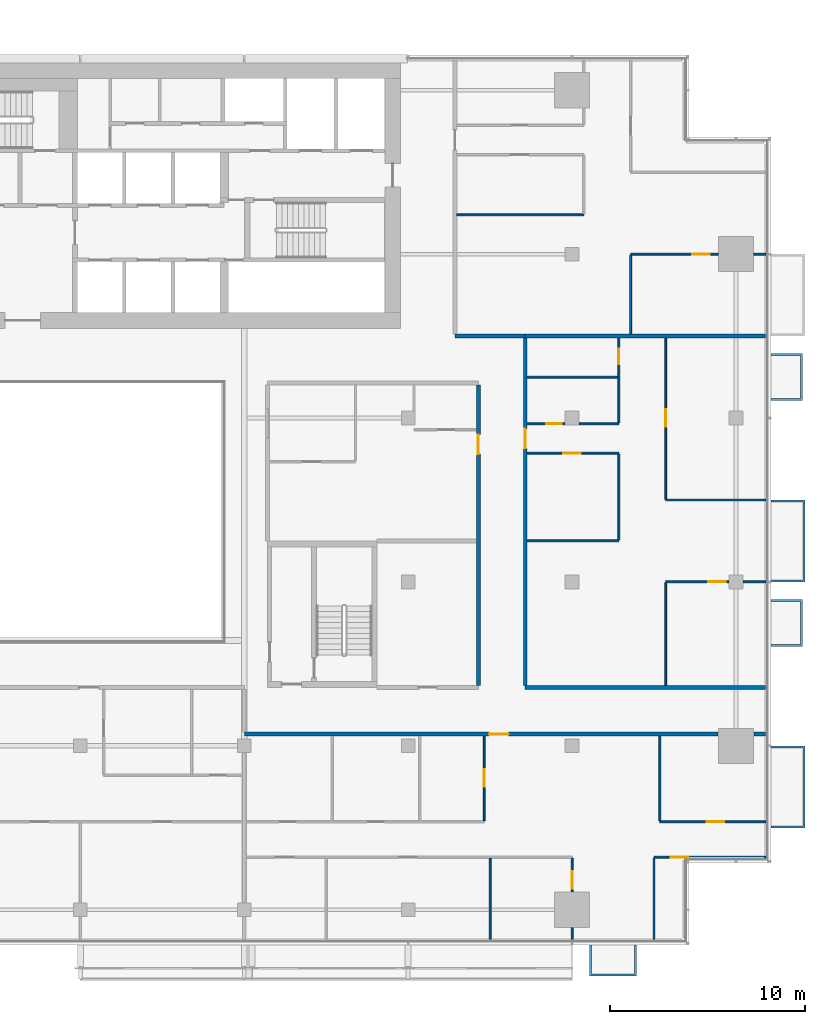
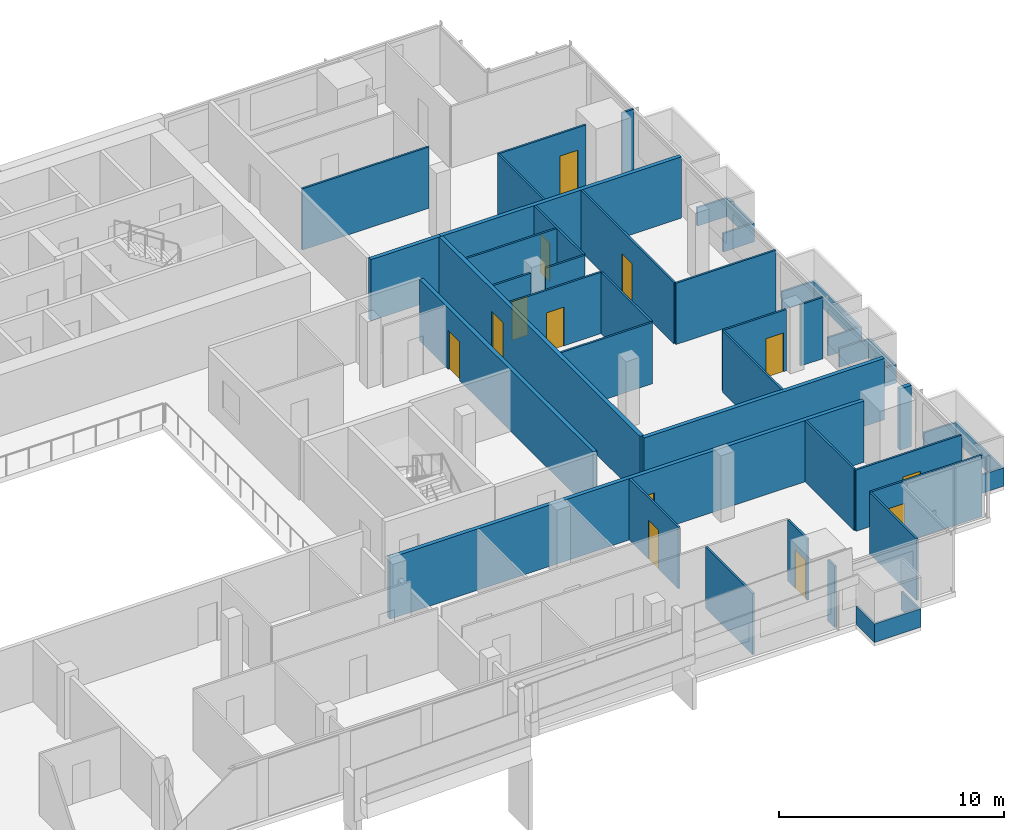
# One storey, part 23 of 28: 36 walls, 13 doors, 13 openings.
"""IFC4 building model written with IfcOpenShell, lengths in metres."""

from ifc_helpers import new_model, si_unit, direction, frame, frame_2d, origin, place, context, subcontext, project, spatial, polyline, rectangle, outline, extrude, material, layer, layer_set, type_object, element, fill, save


model = new_model("IFC4")

# Units and contexts
model_context = context("Model", 3, precision=1e-05, world=origin(), true_north=direction((0.0, 1.0)))
body_context = subcontext(model_context, "Body", "Model", "MODEL_VIEW")
ifc_project = project(units=[si_unit("LENGTHUNIT", "METRE"), si_unit("AREAUNIT", "SQUARE_METRE"), si_unit("VOLUMEUNIT", "CUBIC_METRE"), si_unit("PLANEANGLEUNIT", "RADIAN"), si_unit("MASSUNIT", "GRAM", prefix="KILO")], contexts=[model_context])

# Site, building, storey
site_placement = place(None, origin())
site = spatial("IfcSite", under=ifc_project, at=site_placement, CompositionType="ELEMENT")
building_placement = place(site_placement, origin())
building = spatial("IfcBuilding", under=site, at=building_placement, Name="Saffron Gate Tower", CompositionType="ELEMENT")
storey_placement = place(building_placement, frame((0.0, 0.0, 154.64990234375)))
storey = spatial("IfcBuildingStorey", under=building, at=storey_placement, Name="L37", CompositionType="ELEMENT", Elevation=154.64990234375)

# Wall, opening, door
ifc_material_1 = material(Name="Plasterboard on steel studs", Category="steel")
ifc_layer_1 = layer(ifc_material_1, 0.10009765625)
ifc_layer_set_1 = layer_set([ifc_layer_1], Name="PW1 Partition 100")
wall_type_1 = type_object("IfcWallType", Name="PW1 Partition 100", PredefinedType="PARTITIONING", material=ifc_layer_set_1)
wall_1_placement = place(storey_placement, frame((126.919921875, 34.5, 0.0), z_axis=(0.0, 0.0, 1.0), x_axis=(-1.0, 0.0, 0.0)))
wall_1 = element("IfcWall", 1, at=wall_1_placement, inside=storey, type_object=wall_type_1, Name="Partition C1-4", PredefinedType="PARTITIONING", context=body_context, shape_type="SweptSolid", body=[
    extrude(rectangle(XDim=5.719970703125, YDim=0.10009765625, at=frame_2d((2.85986328125, 0.0))), origin(), (0.0, 0.0, 1.0), 3.320068359375),
])
opening_1_placement = place(wall_1_placement, frame((3.96630859375, 0.0, 0.0)))
opening_1 = element("IfcOpeningElement", 2, at=opening_1_placement, cuts=wall_1, Name="Opening C1-22", PredefinedType="OPENING", context=body_context, shape_type="SweptSolid", body=[
    extrude(rectangle(XDim=0.89990234375, YDim=2.10009765625, at=frame_2d((0.449951171875, 1.050048828125))), frame((0.0, 0.06005859375, 0.0), z_axis=(0.0, -1.0, 0.0), x_axis=(1.0, 0.0, 0.0)), (0.0, 0.0, 1.0), 0.1201171875),
])
ifc_material_2 = material(Name="Timber door set", Category="wood")
door_type_1 = type_object("IfcDoorType", Name="RD1 Room door 900x2100", OperationType="NOTDEFINED", PredefinedType="DOOR", material=ifc_material_2)
door_1_placement = place(opening_1_placement, origin())
door_1 = element("IfcDoor", 3, at=door_1_placement, inside=storey, type_object=door_type_1, Name="Door C1-22", OperationType="SINGLE_SWING_RIGHT", OverallHeight=2.10009765625, OverallWidth=0.89990234375, PredefinedType="DOOR", context=body_context, shape_type="SweptSolid", body=[
    extrude(rectangle(XDim=0.89990234375, YDim=2.10009765625, at=frame_2d((0.449951171875, 1.050048828125))), frame((0.0, 0.02490234375, 0.0), z_axis=(0.0, -1.0, 0.0), x_axis=(1.0, 0.0, 0.0)), (0.0, 0.0, 1.0), 0.050048828125),
])
fill(opening_1, door_1)

wall_2_placement = place(storey_placement, frame((121.5, 36.300048828125, 0.0), z_axis=(0.0, 0.0, 1.0), x_axis=(1.0, 0.0, 0.0)))
wall_2 = element("IfcWall", 4, at=wall_2_placement, inside=storey, type_object=wall_type_1, Name="Partition C1-8", PredefinedType="PARTITIONING", context=body_context, shape_type="SweptSolid", body=[
    extrude(rectangle(XDim=5.419921875, YDim=0.10009765625, at=frame_2d((2.7099609375, 0.0))), origin(), (0.0, 0.0, 1.0), 3.320068359375),
])
opening_2_placement = place(wall_2_placement, frame((2.39990234375, 0.0, 0.0)))
opening_2 = element("IfcOpeningElement", 5, at=opening_2_placement, cuts=wall_2, Name="Opening C1-23", PredefinedType="OPENING", context=body_context, shape_type="SweptSolid", body=[
    extrude(rectangle(XDim=0.89990234375, YDim=2.10009765625, at=frame_2d((0.449951171875, 1.050048828125))), frame((0.0, 0.06005859375, 0.0), z_axis=(0.0, -1.0, 0.0), x_axis=(1.0, 0.0, 0.0)), (0.0, 0.0, 1.0), 0.1201171875),
])
door_2_placement = place(opening_2_placement, origin())
door_2 = element("IfcDoor", 6, at=door_2_placement, inside=storey, type_object=door_type_1, Name="Door C1-23", OperationType="SINGLE_SWING_RIGHT", OverallHeight=2.10009765625, OverallWidth=0.89990234375, PredefinedType="DOOR", context=body_context, shape_type="SweptSolid", body=[
    extrude(rectangle(XDim=0.89990234375, YDim=2.10009765625, at=frame_2d((0.449951171875, 1.050048828125))), frame((0.0, 0.02490234375, 0.0), z_axis=(0.0, -1.0, 0.0), x_axis=(1.0, 0.0, 0.0)), (0.0, 0.0, 1.0), 0.050048828125),
])
fill(opening_2, door_2)

wall_3_placement = place(storey_placement, frame((125.030029296875, 48.60009765625, 0.0), z_axis=(0.0, 0.0, 1.0), x_axis=(-1.0, 0.0, 0.0)))
wall_3 = element("IfcWall", 7, at=wall_3_placement, inside=storey, type_object=wall_type_1, Name="Partition C1-23", PredefinedType="PARTITIONING", context=body_context, shape_type="SweptSolid", body=[
    extrude(rectangle(XDim=3.22998046875, YDim=0.10009765625, at=frame_2d((1.614990234375, 0.0))), origin(), (0.0, 0.0, 1.0), 3.320068359375),
])
opening_3_placement = place(wall_3_placement, frame((0.14990234375, 0.0, 0.0)))
opening_3 = element("IfcOpeningElement", 8, at=opening_3_placement, cuts=wall_3, Name="Opening C1-31", PredefinedType="OPENING", context=body_context, shape_type="SweptSolid", body=[
    extrude(rectangle(XDim=0.89990234375, YDim=2.10009765625, at=frame_2d((0.449951171875, 1.050048828125))), frame((0.0, 0.06005859375, 0.0), z_axis=(0.0, -1.0, 0.0), x_axis=(1.0, 0.0, 0.0)), (0.0, 0.0, 1.0), 0.1201171875),
])
door_3_placement = place(opening_3_placement, origin())
door_3 = element("IfcDoor", 9, at=door_3_placement, inside=storey, type_object=door_type_1, Name="Door C1-31", OperationType="SINGLE_SWING_LEFT", OverallHeight=2.10009765625, OverallWidth=0.89990234375, PredefinedType="DOOR", context=body_context, shape_type="SweptSolid", body=[
    extrude(rectangle(XDim=0.89990234375, YDim=2.10009765625, at=frame_2d((0.449951171875, 1.050048828125))), frame((0.0, 0.02490234375, 0.0), z_axis=(0.0, -1.0, 0.0), x_axis=(1.0, 0.0, 0.0)), (0.0, 0.0, 1.0), 0.050048828125),
])
fill(opening_3, door_3)

# Walls
wall_4_placement = place(storey_placement, frame((125.77001953125, 48.60009765625, 0.0), z_axis=(0.0, 0.0, 1.0), x_axis=(1.0, 0.0, 0.0)))
element("IfcWall", 10, at=wall_4_placement, inside=storey, type_object=wall_type_1, Name="Partition C1-24", PredefinedType="PARTITIONING", context=body_context, shape_type="SweptSolid", body=[
    extrude(rectangle(XDim=1.14990234375, YDim=0.10009765625, at=frame_2d((0.574951171875, 0.0))), origin(), (0.0, 0.0, 1.0), 3.320068359375),
])
wall_5_placement = place(storey_placement, frame((114.699951171875, 50.699951171875, 0.0), z_axis=(0.0, 0.0, 1.0), x_axis=(1.0, 0.0, 0.0)))
element("IfcWall", 11, at=wall_5_placement, inside=storey, type_object=wall_type_1, Name="Partition C1-28", PredefinedType="PARTITIONING", context=body_context, shape_type="SweptSolid", body=[
    extrude(rectangle(XDim=4.699951171875, YDim=0.10009765625, at=frame_2d((2.35009765625, 0.0))), origin(), (0.0, 0.0, 1.0), 3.320068359375),
])
wall_6_placement = place(storey_placement, frame((121.800048828125, 52.800048828125, 0.0), z_axis=(0.0, 0.0, 1.0), x_axis=(1.0, 0.0, 0.0)))
element("IfcWall", 12, at=wall_6_placement, inside=storey, type_object=wall_type_1, Name="Partition C1-30", PredefinedType="PARTITIONING", context=body_context, shape_type="SweptSolid", body=[
    extrude(rectangle(XDim=5.119873046875, YDim=0.10009765625, at=frame_2d((2.56005859375, 0.0))), origin(), (0.0, 0.0, 1.0), 3.320068359375),
])

# Wall, opening, door
wall_7_placement = place(storey_placement, frame((119.39990234375, 55.199951171875, 0.0), z_axis=(0.0, 0.0, 1.0), x_axis=(-1.0, 0.0, 0.0)))
wall_7 = element("IfcWall", 13, at=wall_7_placement, inside=storey, type_object=wall_type_1, Name="Partition C1-34", PredefinedType="PARTITIONING", context=body_context, shape_type="SweptSolid", body=[
    extrude(rectangle(XDim=4.699951171875, YDim=0.10009765625, at=frame_2d((2.35009765625, 0.0))), origin(), (0.0, 0.0, 1.0), 3.320068359375),
])
opening_4_placement = place(wall_7_placement, frame((1.949951171875, 0.0, 0.0)))
opening_4 = element("IfcOpeningElement", 14, at=opening_4_placement, cuts=wall_7, Name="Opening C1-33", PredefinedType="OPENING", context=body_context, shape_type="SweptSolid", body=[
    extrude(rectangle(XDim=0.89990234375, YDim=2.10009765625, at=frame_2d((0.449951171875, 1.050048828125))), frame((0.0, 0.06005859375, 0.0), z_axis=(0.0, -1.0, 0.0), x_axis=(1.0, 0.0, 0.0)), (0.0, 0.0, 1.0), 0.1201171875),
])
door_4_placement = place(opening_4_placement, origin())
door_4 = element("IfcDoor", 15, at=door_4_placement, inside=storey, type_object=door_type_1, Name="Door C1-33", OperationType="SINGLE_SWING_RIGHT", OverallHeight=2.10009765625, OverallWidth=0.89990234375, PredefinedType="DOOR", context=body_context, shape_type="SweptSolid", body=[
    extrude(rectangle(XDim=0.89990234375, YDim=2.10009765625, at=frame_2d((0.449951171875, 1.050048828125))), frame((0.0, 0.02490234375, 0.0), z_axis=(0.0, -1.0, 0.0), x_axis=(1.0, 0.0, 0.0)), (0.0, 0.0, 1.0), 0.050048828125),
])
fill(opening_4, door_4)

wall_8_placement = place(storey_placement, frame((114.699951171875, 56.699951171875, 0.0), z_axis=(0.0, 0.0, 1.0), x_axis=(1.0, 0.0, 0.0)))
wall_8 = element("IfcWall", 16, at=wall_8_placement, inside=storey, type_object=wall_type_1, Name="Partition C1-36", PredefinedType="PARTITIONING", context=body_context, shape_type="SweptSolid", body=[
    extrude(rectangle(XDim=1.929931640625, YDim=0.10009765625, at=frame_2d((0.96484375, 0.0))), origin(), (0.0, 0.0, 1.0), 3.320068359375),
])
opening_5_placement = place(wall_8_placement, frame((0.97998046875, 0.0, 0.0)))
opening_5 = element("IfcOpeningElement", 17, at=opening_5_placement, cuts=wall_8, Name="Opening C1-49", PredefinedType="OPENING", context=body_context, shape_type="SweptSolid", body=[
    extrude(rectangle(XDim=0.800048828125, YDim=2.10009765625, at=frame_2d((0.39990234375, 1.050048828125))), frame((0.0, 0.06005859375, 0.0), z_axis=(0.0, -1.0, 0.0), x_axis=(1.0, 0.0, 0.0)), (0.0, 0.0, 1.0), 0.1201171875),
])
door_type_2 = type_object("IfcDoorType", Name="RD2 Bathroom door 800x2100", OperationType="NOTDEFINED", PredefinedType="DOOR", material=ifc_material_2)
door_5_placement = place(opening_5_placement, origin())
door_5 = element("IfcDoor", 18, at=door_5_placement, inside=storey, type_object=door_type_2, Name="Door C1-49", OperationType="SINGLE_SWING_RIGHT", OverallHeight=2.10009765625, OverallWidth=0.800048828125, PredefinedType="DOOR", context=body_context, shape_type="SweptSolid", body=[
    extrude(rectangle(XDim=0.800048828125, YDim=2.10009765625, at=frame_2d((0.39990234375, 1.050048828125))), frame((0.0, 0.02490234375, 0.0), z_axis=(0.0, -1.0, 0.0), x_axis=(1.0, 0.0, 0.0)), (0.0, 0.0, 1.0), 0.050048828125),
])
fill(opening_5, door_5)

# Walls
wall_9_placement = place(storey_placement, frame((117.3701171875, 56.699951171875, 0.0), z_axis=(0.0, 0.0, 1.0), x_axis=(1.0, 0.0, 0.0)))
element("IfcWall", 19, at=wall_9_placement, inside=storey, type_object=wall_type_1, Name="Partition C1-37", PredefinedType="PARTITIONING", context=body_context, shape_type="SweptSolid", body=[
    extrude(rectangle(XDim=2.02978515625, YDim=0.10009765625, at=frame_2d((1.014892578125, 0.0))), origin(), (0.0, 0.0, 1.0), 3.320068359375),
])
wall_10_placement = place(storey_placement, frame((114.699951171875, 59.10009765625, 0.0), z_axis=(0.0, 0.0, 1.0), x_axis=(1.0, 0.0, 0.0)))
element("IfcWall", 20, at=wall_10_placement, inside=storey, type_object=wall_type_1, Name="Partition C1-41", PredefinedType="PARTITIONING", context=body_context, shape_type="SweptSolid", body=[
    extrude(rectangle(XDim=4.650146484375, YDim=0.10009765625, at=frame_2d((2.3251953125, 0.0))), origin(), (0.0, 0.0, 1.0), 3.320068359375),
])

# Wall, opening, door
wall_11_placement = place(storey_placement, frame((124.47998046875, 65.39990234375, 0.0), z_axis=(0.0, 0.0, 1.0), x_axis=(-1.0, 0.0, 0.0)))
wall_11 = element("IfcWall", 21, at=wall_11_placement, inside=storey, type_object=wall_type_1, Name="Partition C1-46", PredefinedType="PARTITIONING", context=body_context, shape_type="SweptSolid", body=[
    extrude(rectangle(XDim=4.47998046875, YDim=0.10009765625, at=frame_2d((2.239990234375, 0.0))), origin(), (0.0, 0.0, 1.0), 3.320068359375),
])
opening_6_placement = place(wall_11_placement, frame((0.429931640625, 0.0, 0.0)))
opening_6 = element("IfcOpeningElement", 22, at=opening_6_placement, cuts=wall_11, Name="Opening C1-34", PredefinedType="OPENING", context=body_context, shape_type="SweptSolid", body=[
    extrude(rectangle(XDim=0.89990234375, YDim=2.10009765625, at=frame_2d((0.449951171875, 1.050048828125))), frame((0.0, 0.06005859375, 0.0), z_axis=(0.0, -1.0, 0.0), x_axis=(1.0, 0.0, 0.0)), (0.0, 0.0, 1.0), 0.1201171875),
])
door_6_placement = place(opening_6_placement, origin())
door_6 = element("IfcDoor", 23, at=door_6_placement, inside=storey, type_object=door_type_1, Name="Door C1-34", OperationType="SINGLE_SWING_LEFT", OverallHeight=2.10009765625, OverallWidth=0.89990234375, PredefinedType="DOOR", context=body_context, shape_type="SweptSolid", body=[
    extrude(rectangle(XDim=0.89990234375, YDim=2.10009765625, at=frame_2d((0.449951171875, 1.050048828125))), frame((0.0, 0.02490234375, 0.0), z_axis=(0.0, -1.0, 0.0), x_axis=(1.0, 0.0, 0.0)), (0.0, 0.0, 1.0), 0.050048828125),
])
fill(opening_6, door_6)

# Walls
wall_12_placement = place(storey_placement, frame((126.320068359375, 65.39990234375, 0.0), z_axis=(0.0, 0.0, 1.0), x_axis=(1.0, 0.0, 0.0)))
element("IfcWall", 24, at=wall_12_placement, inside=storey, type_object=wall_type_1, Name="Partition C1-47", PredefinedType="PARTITIONING", context=body_context, shape_type="SweptSolid", body=[
    extrude(rectangle(XDim=0.599853515625, YDim=0.10009765625, at=frame_2d((0.2998046875, 0.0))), origin(), (0.0, 0.0, 1.0), 3.320068359375),
])
wall_13_placement = place(storey_placement, frame((111.10009765625, 67.412109375, 0.0), z_axis=(0.0, 0.0, 1.0), x_axis=(1.0, 0.0, 0.0)))
element("IfcWall", 25, at=wall_13_placement, inside=storey, type_object=wall_type_1, Name="Partition C1-49", PredefinedType="PARTITIONING", context=body_context, shape_type="SweptSolid", body=[
    extrude(rectangle(XDim=6.5, YDim=0.10009765625, at=frame_2d((3.25, 0.0))), origin(), (0.0, 0.0, 1.0), 3.320068359375),
])

# Wall, opening, door
wall_14_placement = place(storey_placement, frame((112.5, 36.35009765625, 0.0), z_axis=(0.0, 0.0, 1.0), x_axis=(0.0, 1.0, 0.0)))
wall_14 = element("IfcWall", 26, at=wall_14_placement, inside=storey, type_object=wall_type_1, Name="Partition C1-102", PredefinedType="PARTITIONING", context=body_context, shape_type="SweptSolid", body=[
    extrude(rectangle(XDim=4.349853515625, YDim=0.10009765625, at=frame_2d((2.1748046875, 0.0))), origin(), (0.0, 0.0, 1.0), 3.320068359375),
])
opening_7_placement = place(wall_14_placement, frame((1.75, 0.0, 0.0)))
opening_7 = element("IfcOpeningElement", 27, at=opening_7_placement, cuts=wall_14, Name="Opening C1-24", PredefinedType="OPENING", context=body_context, shape_type="SweptSolid", body=[
    extrude(rectangle(XDim=0.89990234375, YDim=2.10009765625, at=frame_2d((0.449951171875, 1.050048828125))), frame((0.0, 0.06005859375, 0.0), z_axis=(0.0, -1.0, 0.0), x_axis=(1.0, 0.0, 0.0)), (0.0, 0.0, 1.0), 0.1201171875),
])
door_7_placement = place(opening_7_placement, origin())
door_7 = element("IfcDoor", 28, at=door_7_placement, inside=storey, type_object=door_type_1, Name="Door C1-24", OperationType="SINGLE_SWING_RIGHT", OverallHeight=2.10009765625, OverallWidth=0.89990234375, PredefinedType="DOOR", context=body_context, shape_type="SweptSolid", body=[
    extrude(rectangle(XDim=0.89990234375, YDim=2.10009765625, at=frame_2d((0.449951171875, 1.050048828125))), frame((0.0, 0.02490234375, 0.0), z_axis=(0.0, -1.0, 0.0), x_axis=(1.0, 0.0, 0.0)), (0.0, 0.0, 1.0), 0.050048828125),
])
fill(opening_7, door_7)

# Walls
wall_15_placement = place(storey_placement, frame((112.800048828125, 34.449951171875, 0.0), z_axis=(0.0, 0.0, 1.0), x_axis=(0.0, -1.0, 0.0)))
element("IfcWall", 29, at=wall_15_placement, inside=storey, type_object=wall_type_1, Name="Partition C1-103", PredefinedType="PARTITIONING", context=body_context, shape_type="SweptSolid", body=[
    extrude(rectangle(XDim=4.169921875, YDim=0.10009765625, at=frame_2d((2.0849609375, 0.0))), origin(), (0.0, 0.0, 1.0), 3.320068359375),
])
wall_16_placement = place(storey_placement, frame((117.0, 30.8798828125, 0.0), z_axis=(0.0, 0.0, 1.0), x_axis=(0.0, -1.0, 0.0)))
element("IfcWall", 30, at=wall_16_placement, inside=storey, type_object=wall_type_1, Name="Partition C1-105", PredefinedType="PARTITIONING", context=body_context, shape_type="SweptSolid", body=[
    extrude(rectangle(XDim=0.599853515625, YDim=0.10009765625, at=frame_2d((0.2998046875, 0.0))), origin(), (0.0, 0.0, 1.0), 3.320068359375),
])

# Wall, opening, door
wall_17_placement = place(storey_placement, frame((117.0, 32.719970703125, 0.0), z_axis=(0.0, 0.0, 1.0), x_axis=(0.0, 1.0, 0.0)))
wall_17 = element("IfcWall", 31, at=wall_17_placement, inside=storey, type_object=wall_type_1, Name="Partition C1-106", PredefinedType="PARTITIONING", context=body_context, shape_type="SweptSolid", body=[
    extrude(rectangle(XDim=1.72998046875, YDim=0.10009765625, at=frame_2d((0.864990234375, 0.0))), origin(), (0.0, 0.0, 1.0), 3.320068359375),
])
opening_8_placement = place(wall_17_placement, frame((0.14990234375, 0.0, 0.0)))
opening_8 = element("IfcOpeningElement", 32, at=opening_8_placement, cuts=wall_17, Name="Opening C1-21", PredefinedType="OPENING", context=body_context, shape_type="SweptSolid", body=[
    extrude(rectangle(XDim=0.89990234375, YDim=2.10009765625, at=frame_2d((0.449951171875, 1.050048828125))), frame((0.0, 0.06005859375, 0.0), z_axis=(0.0, -1.0, 0.0), x_axis=(1.0, 0.0, 0.0)), (0.0, 0.0, 1.0), 0.1201171875),
])
door_8_placement = place(opening_8_placement, origin())
door_8 = element("IfcDoor", 33, at=door_8_placement, inside=storey, type_object=door_type_1, Name="Door C1-21", OperationType="SINGLE_SWING_LEFT", OverallHeight=2.10009765625, OverallWidth=0.89990234375, PredefinedType="DOOR", context=body_context, shape_type="SweptSolid", body=[
    extrude(rectangle(XDim=0.89990234375, YDim=2.10009765625, at=frame_2d((0.449951171875, 1.050048828125))), frame((0.0, 0.02490234375, 0.0), z_axis=(0.0, -1.0, 0.0), x_axis=(1.0, 0.0, 0.0)), (0.0, 0.0, 1.0), 0.050048828125),
])
fill(opening_8, door_8)

# Wall
wall_18_placement = place(storey_placement, frame((119.39990234375, 55.14990234375, 0.0), z_axis=(0.0, 0.0, 1.0), x_axis=(0.0, -1.0, 0.0)))
element("IfcWall", 34, at=wall_18_placement, inside=storey, type_object=wall_type_1, Name="Partition C1-110", PredefinedType="PARTITIONING", context=body_context, shape_type="SweptSolid", body=[
    extrude(rectangle(XDim=4.39990234375, YDim=0.10009765625, at=frame_2d((2.199951171875, 0.0))), origin(), (0.0, 0.0, 1.0), 3.320068359375),
])

# Wall, opening, door
wall_19_placement = place(storey_placement, frame((119.39990234375, 56.75, 0.0), z_axis=(0.0, 0.0, 1.0), x_axis=(0.0, 1.0, 0.0)))
wall_19 = element("IfcWall", 35, at=wall_19_placement, inside=storey, type_object=wall_type_1, Name="Partition C1-111", PredefinedType="PARTITIONING", context=body_context, shape_type="SweptSolid", body=[
    extrude(rectangle(XDim=4.35009765625, YDim=0.10009765625, at=frame_2d((2.175048828125, 0.0))), origin(), (0.0, 0.0, 1.0), 3.320068359375),
])
opening_9_placement = place(wall_19_placement, frame((3.0, 0.0, 0.0)))
opening_9 = element("IfcOpeningElement", 36, at=opening_9_placement, cuts=wall_19, Name="Opening C1-50", PredefinedType="OPENING", context=body_context, shape_type="SweptSolid", body=[
    extrude(rectangle(XDim=0.800048828125, YDim=2.10009765625, at=frame_2d((0.39990234375, 1.050048828125))), frame((0.0, 0.06005859375, 0.0), z_axis=(0.0, -1.0, 0.0), x_axis=(1.0, 0.0, 0.0)), (0.0, 0.0, 1.0), 0.1201171875),
])
door_9_placement = place(opening_9_placement, origin())
door_9 = element("IfcDoor", 37, at=door_9_placement, inside=storey, type_object=door_type_2, Name="Door C1-50", OperationType="SINGLE_SWING_RIGHT", OverallHeight=2.10009765625, OverallWidth=0.800048828125, PredefinedType="DOOR", context=body_context, shape_type="SweptSolid", body=[
    extrude(rectangle(XDim=0.800048828125, YDim=2.10009765625, at=frame_2d((0.39990234375, 1.050048828125))), frame((0.0, 0.02490234375, 0.0), z_axis=(0.0, -1.0, 0.0), x_axis=(1.0, 0.0, 0.0)), (0.0, 0.0, 1.0), 0.050048828125),
])
fill(opening_9, door_9)

# Walls
wall_20_placement = place(storey_placement, frame((120.0, 65.35009765625, 0.0), z_axis=(0.0, 0.0, 1.0), x_axis=(0.0, -1.0, 0.0)))
element("IfcWall", 38, at=wall_20_placement, inside=storey, type_object=wall_type_1, Name="Partition C1-112", PredefinedType="PARTITIONING", context=body_context, shape_type="SweptSolid", body=[
    extrude(rectangle(XDim=4.050048828125, YDim=0.10009765625, at=frame_2d((2.02490234375, 0.0))), origin(), (0.0, 0.0, 1.0), 3.320068359375),
])
wall_21_placement = place(storey_placement, frame((121.199951171875, 34.449951171875, 0.0), z_axis=(0.0, 0.0, 1.0), x_axis=(0.0, -1.0, 0.0)))
element("IfcWall", 39, at=wall_21_placement, inside=storey, type_object=wall_type_1, Name="Partition C1-114", PredefinedType="PARTITIONING", context=body_context, shape_type="SweptSolid", body=[
    extrude(rectangle(XDim=4.169921875, YDim=0.10009765625, at=frame_2d((2.0849609375, 0.0))), origin(), (0.0, 0.0, 1.0), 3.320068359375),
])
wall_22_placement = place(storey_placement, frame((121.5, 40.699951171875, 0.0), z_axis=(0.0, 0.0, 1.0), x_axis=(0.0, -1.0, 0.0)))
element("IfcWall", 40, at=wall_22_placement, inside=storey, type_object=wall_type_1, Name="Partition C1-115", PredefinedType="PARTITIONING", context=body_context, shape_type="SweptSolid", body=[
    extrude(rectangle(XDim=4.349853515625, YDim=0.10009765625, at=frame_2d((2.1748046875, 0.0))), origin(), (0.0, 0.0, 1.0), 3.320068359375),
])
wall_23_placement = place(storey_placement, frame((121.800048828125, 48.550048828125, 0.0), z_axis=(0.0, 0.0, 1.0), x_axis=(0.0, -1.0, 0.0)))
element("IfcWall", 41, at=wall_23_placement, inside=storey, type_object=wall_type_1, Name="Partition C1-116", PredefinedType="PARTITIONING", context=body_context, shape_type="SweptSolid", body=[
    extrude(rectangle(XDim=5.25, YDim=0.10009765625, at=frame_2d((2.625, 0.0))), origin(), (0.0, 0.0, 1.0), 3.320068359375),
])

# Wall, opening, door
wall_24_placement = place(storey_placement, frame((121.800048828125, 61.10009765625, 0.0), z_axis=(0.0, 0.0, 1.0), x_axis=(0.0, -1.0, 0.0)))
wall_24 = element("IfcWall", 42, at=wall_24_placement, inside=storey, type_object=wall_type_1, Name="Partition C1-117", PredefinedType="PARTITIONING", context=body_context, shape_type="SweptSolid", body=[
    extrude(rectangle(XDim=8.25, YDim=0.10009765625, at=frame_2d((4.125, 0.0))), origin(), (0.0, 0.0, 1.0), 3.320068359375),
])
opening_10_placement = place(wall_24_placement, frame((3.64990234375, 0.0, 0.0)))
opening_10 = element("IfcOpeningElement", 43, at=opening_10_placement, cuts=wall_24, Name="Opening C1-32", PredefinedType="OPENING", context=body_context, shape_type="SweptSolid", body=[
    extrude(rectangle(XDim=0.89990234375, YDim=2.10009765625, at=frame_2d((0.449951171875, 1.050048828125))), frame((0.0, 0.06005859375, 0.0), z_axis=(0.0, -1.0, 0.0), x_axis=(1.0, 0.0, 0.0)), (0.0, 0.0, 1.0), 0.1201171875),
])
door_10_placement = place(opening_10_placement, origin())
door_10 = element("IfcDoor", 44, at=door_10_placement, inside=storey, type_object=door_type_1, Name="Door C1-32", OperationType="SINGLE_SWING_LEFT", OverallHeight=2.10009765625, OverallWidth=0.89990234375, PredefinedType="DOOR", context=body_context, shape_type="SweptSolid", body=[
    extrude(rectangle(XDim=0.89990234375, YDim=2.10009765625, at=frame_2d((0.449951171875, 1.050048828125))), frame((0.0, 0.02490234375, 0.0), z_axis=(0.0, -1.0, 0.0), x_axis=(1.0, 0.0, 0.0)), (0.0, 0.0, 1.0), 0.050048828125),
])
fill(opening_10, door_10)

# Wall
ifc_material_3 = material(Name="Clay brick masonry, rendered", Category="masonry")
ifc_layer_2 = layer(ifc_material_3, 0.199951171875)
ifc_layer_set_2 = layer_set([ifc_layer_2], Name="PW2 Demising wall 200")
wall_type_2 = type_object("IfcWallType", Name="PW2 Demising wall 200", PredefinedType="PARTITIONING", material=ifc_layer_set_2)
wall_25_placement = place(storey_placement, frame((114.60009765625, 61.199951171875, 0.0), z_axis=(0.0, 0.0, 1.0), x_axis=(1.0, 0.0, 0.0)))
element("IfcWall", 45, at=wall_25_placement, inside=storey, type_object=wall_type_2, Name="Wall C1-45", PredefinedType="PARTITIONING", context=body_context, shape_type="SweptSolid", body=[
    extrude(rectangle(XDim=12.31982421875, YDim=0.199951171875, at=frame_2d((6.159912109375, 0.0))), origin(), (0.0, 0.0, 1.0), 3.320068359375),
])

# Wall, opening, door
ifc_layer_3 = layer(ifc_material_3, 0.199951171875)
ifc_layer_set_3 = layer_set([ifc_layer_3], Name="PW3 Corridor wall 200")
wall_type_3 = type_object("IfcWallType", Name="PW3 Corridor wall 200", PredefinedType="PARTITIONING", material=ifc_layer_set_3)
wall_26_placement = place(storey_placement, frame((124.47998046875, 40.800048828125, 0.0), z_axis=(0.0, 0.0, 1.0), x_axis=(-1.0, 0.0, 0.0)))
wall_26 = element("IfcWall", 46, at=wall_26_placement, inside=storey, type_object=wall_type_3, Name="Wall C1-13", PredefinedType="PARTITIONING", context=body_context, shape_type="SweptSolid", body=[
    extrude(rectangle(XDim=24.280029296875, YDim=0.199951171875, at=frame_2d((12.14013671875, 0.0))), origin(), (0.0, 0.0, 1.0), 3.320068359375),
])
opening_11_placement = place(wall_26_placement, frame((10.72998046875, 0.0, 0.0)))
opening_11 = element("IfcOpeningElement", 47, at=opening_11_placement, cuts=wall_26, Name="Opening C1-4", PredefinedType="OPENING", context=body_context, shape_type="SweptSolid", body=[
    extrude(rectangle(XDim=1.0, YDim=2.10009765625, at=frame_2d((0.5, 1.050048828125))), frame((0.0, 0.10986328125, 0.0), z_axis=(0.0, -1.0, 0.0), x_axis=(1.0, 0.0, 0.0)), (0.0, 0.0, 1.0), 0.219970703125),
])
ifc_material_4 = material(Name="Timber fire door set", Category="wood")
door_type_3 = type_object("IfcDoorType", Name="FD1 Flat entry door 1000x2100", OperationType="NOTDEFINED", PredefinedType="DOOR", material=ifc_material_4)
door_11_placement = place(opening_11_placement, origin())
door_11 = element("IfcDoor", 48, at=door_11_placement, inside=storey, type_object=door_type_3, Name="Door C1-4", OperationType="SINGLE_SWING_RIGHT", OverallHeight=2.10009765625, OverallWidth=1.0, PredefinedType="DOOR", context=body_context, shape_type="SweptSolid", body=[
    extrude(rectangle(XDim=1.0, YDim=2.10009765625, at=frame_2d((0.5, 1.050048828125))), frame((0.0, 0.02490234375, 0.0), z_axis=(0.0, -1.0, 0.0), x_axis=(1.0, 0.0, 0.0)), (0.0, 0.0, 1.0), 0.050048828125),
])
fill(opening_11, door_11)

# Walls
wall_27_placement = place(storey_placement, frame((126.320068359375, 40.800048828125, 0.0), z_axis=(0.0, 0.0, 1.0), x_axis=(1.0, 0.0, 0.0)))
element("IfcWall", 49, at=wall_27_placement, inside=storey, type_object=wall_type_3, Name="Wall C1-14", PredefinedType="PARTITIONING", context=body_context, shape_type="SweptSolid", body=[
    extrude(rectangle(XDim=0.599853515625, YDim=0.199951171875, at=frame_2d((0.2998046875, 0.0))), origin(), (0.0, 0.0, 1.0), 3.320068359375),
])
wall_28_placement = place(storey_placement, frame((114.60009765625, 43.199951171875, 0.0), z_axis=(0.0, 0.0, 1.0), x_axis=(1.0, 0.0, 0.0)))
element("IfcWall", 50, at=wall_28_placement, inside=storey, type_object=wall_type_3, Name="Wall C1-19", PredefinedType="PARTITIONING", context=body_context, shape_type="SweptSolid", body=[
    extrude(rectangle(XDim=12.31982421875, YDim=0.199951171875, at=frame_2d((6.159912109375, 0.0))), origin(), (0.0, 0.0, 1.0), 3.320068359375),
])
wall_29_placement = place(storey_placement, frame((111.0, 61.199951171875, 0.0), z_axis=(0.0, 0.0, 1.0), x_axis=(1.0, 0.0, 0.0)))
element("IfcWall", 51, at=wall_29_placement, inside=storey, type_object=wall_type_3, Name="Wall C1-43", PredefinedType="PARTITIONING", context=body_context, shape_type="SweptSolid", body=[
    extrude(rectangle(XDim=3.60009765625, YDim=0.199951171875, at=frame_2d((1.800048828125, 0.0))), origin(), (0.0, 0.0, 1.0), 3.320068359375),
])

# Wall, opening, door
wall_30_placement = place(storey_placement, frame((112.199951171875, 43.300048828125, 0.0), z_axis=(0.0, 0.0, 1.0), x_axis=(0.0, 1.0, 0.0)))
wall_30 = element("IfcWall", 52, at=wall_30_placement, inside=storey, type_object=wall_type_3, Name="Wall C1-101", PredefinedType="PARTITIONING", context=body_context, shape_type="SweptSolid", body=[
    extrude(rectangle(XDim=15.39990234375, YDim=0.199951171875, at=frame_2d((7.699951171875, 0.0))), origin(), (0.0, 0.0, 1.0), 3.320068359375),
])
opening_12_placement = place(wall_30_placement, frame((11.85009765625, 0.0, 0.0)))
opening_12 = element("IfcOpeningElement", 53, at=opening_12_placement, cuts=wall_30, Name="Opening C1-10", PredefinedType="OPENING", context=body_context, shape_type="SweptSolid", body=[
    extrude(rectangle(XDim=1.0, YDim=2.10009765625, at=frame_2d((0.5, 1.050048828125))), frame((0.0, 0.10986328125, 0.0), z_axis=(0.0, -1.0, 0.0), x_axis=(1.0, 0.0, 0.0)), (0.0, 0.0, 1.0), 0.219970703125),
])
door_12_placement = place(opening_12_placement, origin())
door_12 = element("IfcDoor", 54, at=door_12_placement, inside=storey, type_object=door_type_3, Name="Door C1-10", OperationType="SINGLE_SWING_RIGHT", OverallHeight=2.10009765625, OverallWidth=1.0, PredefinedType="DOOR", context=body_context, shape_type="SweptSolid", body=[
    extrude(rectangle(XDim=1.0, YDim=2.10009765625, at=frame_2d((0.5, 1.050048828125))), frame((0.0, 0.02490234375, 0.0), z_axis=(0.0, -1.0, 0.0), x_axis=(1.0, 0.0, 0.0)), (0.0, 0.0, 1.0), 0.050048828125),
])
fill(opening_12, door_12)

wall_31_placement = place(storey_placement, frame((114.60009765625, 61.10009765625, 0.0), z_axis=(0.0, 0.0, 1.0), x_axis=(0.0, -1.0, 0.0)))
wall_31 = element("IfcWall", 55, at=wall_31_placement, inside=storey, type_object=wall_type_3, Name="Wall C1-104", PredefinedType="PARTITIONING", context=body_context, shape_type="SweptSolid", body=[
    extrude(rectangle(XDim=17.800048828125, YDim=0.199951171875, at=frame_2d((8.89990234375, 0.0))), origin(), (0.0, 0.0, 1.0), 3.320068359375),
])
opening_13_placement = place(wall_31_placement, frame((4.64990234375, 0.0, 0.0)))
opening_13 = element("IfcOpeningElement", 56, at=opening_13_placement, cuts=wall_31, Name="Opening C1-7", PredefinedType="OPENING", context=body_context, shape_type="SweptSolid", body=[
    extrude(rectangle(XDim=1.0, YDim=2.10009765625, at=frame_2d((0.5, 1.050048828125))), frame((0.0, 0.10986328125, 0.0), z_axis=(0.0, -1.0, 0.0), x_axis=(1.0, 0.0, 0.0)), (0.0, 0.0, 1.0), 0.219970703125),
])
door_13_placement = place(opening_13_placement, origin())
door_13 = element("IfcDoor", 57, at=door_13_placement, inside=storey, type_object=door_type_3, Name="Door C1-7", OperationType="SINGLE_SWING_LEFT", OverallHeight=2.10009765625, OverallWidth=1.0, PredefinedType="DOOR", context=body_context, shape_type="SweptSolid", body=[
    extrude(rectangle(XDim=1.0, YDim=2.10009765625, at=frame_2d((0.5, 1.050048828125))), frame((0.0, 0.02490234375, 0.0), z_axis=(0.0, -1.0, 0.0), x_axis=(1.0, 0.0, 0.0)), (0.0, 0.0, 1.0), 0.050048828125),
])
fill(opening_13, door_13)

# Walls
ifc_material_5 = material(Name="Rendered insulated panel, white")
ifc_layer_4 = layer(ifc_material_5, 0.10009765625)
ifc_layer_set_4 = layer_set([ifc_layer_4], Name="WB3 box parapet white")
wall_type_4 = type_object("IfcWallType", Name="WB3 box parapet white", PredefinedType="SOLIDWALL", material=ifc_layer_set_4)
wall_32_placement = place(storey_placement, origin())
element("IfcWall", 58, at=wall_32_placement, inside=storey, type_object=wall_type_4, Name="WINDOW BOX parapet", PredefinedType="SOLIDWALL", context=body_context, shape_type="SweptSolid", body=[
    extrude(outline(polyline([(117.89990234375, 30.0), (118.0, 30.0), (118.0, 28.5), (120.199951171875, 28.5), (120.199951171875, 30.0), (120.300048828125, 30.0), (120.300048828125, 28.39990234375), (117.89990234375, 28.39990234375), (117.89990234375, 30.0)])), origin(), (0.0, 0.0, 1.0), 1.0),
])
wall_33_placement = place(storey_placement, origin())
element("IfcWall", 59, at=wall_33_placement, inside=storey, type_object=wall_type_4, Name="WINDOW BOX parapet", PredefinedType="SOLIDWALL", context=body_context, shape_type="SweptSolid", body=[
    extrude(outline(polyline([(127.199951171875, 36.0), (127.199951171875, 36.10009765625), (128.8330078125, 36.10009765625), (128.8330078125, 40.10009765625), (127.199951171875, 40.10009765625), (127.199951171875, 40.199951171875), (128.93310546875, 40.199951171875), (128.93310546875, 36.0), (127.199951171875, 36.0)])), origin(), (0.0, 0.0, 1.0), 1.0),
])
wall_34_placement = place(storey_placement, origin())
element("IfcWall", 60, at=wall_34_placement, inside=storey, type_object=wall_type_4, Name="WINDOW BOX parapet", PredefinedType="SOLIDWALL", context=body_context, shape_type="SweptSolid", body=[
    extrude(outline(polyline([(127.199951171875, 45.300048828125), (127.199951171875, 45.39990234375), (128.699951171875, 45.39990234375), (128.699951171875, 47.60009765625), (127.199951171875, 47.60009765625), (127.199951171875, 47.699951171875), (128.800048828125, 47.699951171875), (128.800048828125, 45.300048828125), (127.199951171875, 45.300048828125)])), origin(), (0.0, 0.0, 1.0), 1.0),
])
wall_35_placement = place(storey_placement, origin())
element("IfcWall", 61, at=wall_35_placement, inside=storey, type_object=wall_type_4, Name="WINDOW BOX parapet", PredefinedType="SOLIDWALL", context=body_context, shape_type="SweptSolid", body=[
    extrude(outline(polyline([(127.199951171875, 48.60009765625), (127.199951171875, 48.699951171875), (128.8330078125, 48.699951171875), (128.8330078125, 52.699951171875), (127.199951171875, 52.699951171875), (127.199951171875, 52.800048828125), (128.93310546875, 52.800048828125), (128.93310546875, 48.60009765625), (127.199951171875, 48.60009765625)])), origin(), (0.0, 0.0, 1.0), 1.0),
])
wall_36_placement = place(storey_placement, origin())
element("IfcWall", 62, at=wall_36_placement, inside=storey, type_object=wall_type_4, Name="WINDOW BOX parapet", PredefinedType="SOLIDWALL", context=body_context, shape_type="SweptSolid", body=[
    extrude(outline(polyline([(127.199951171875, 57.89990234375), (127.199951171875, 58.0), (128.699951171875, 58.0), (128.699951171875, 60.199951171875), (127.199951171875, 60.199951171875), (127.199951171875, 60.300048828125), (128.800048828125, 60.300048828125), (128.800048828125, 57.89990234375), (127.199951171875, 57.89990234375)])), origin(), (0.0, 0.0, 1.0), 1.0),
])

save(model, "model.ifc")
